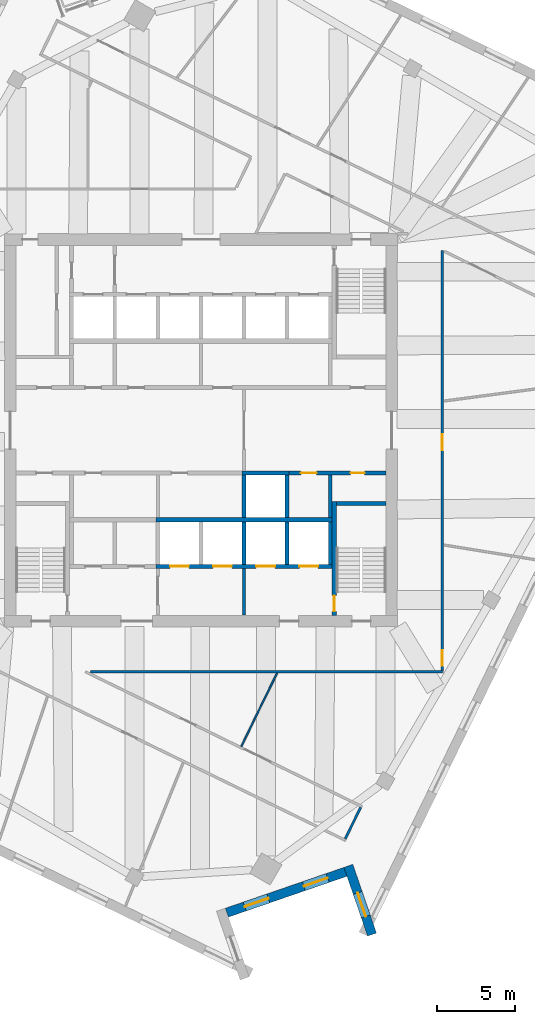
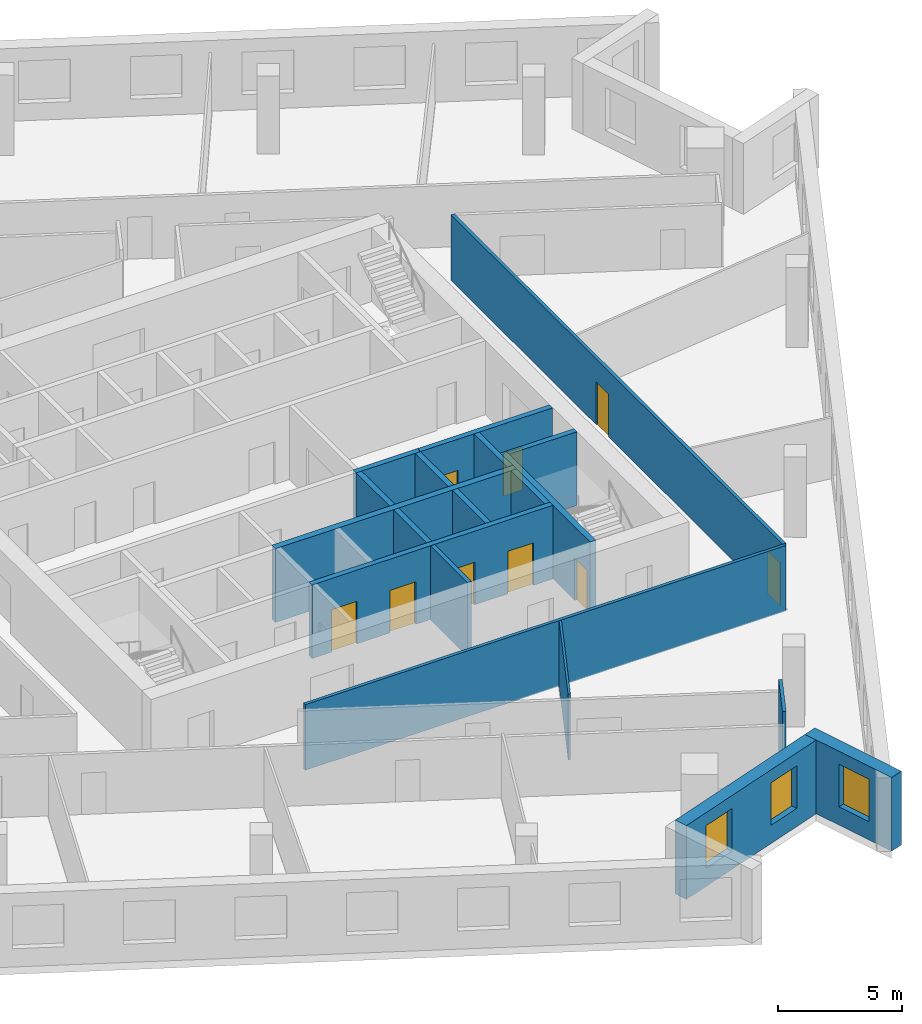
# One storey, part 7 of 13: 19 walls, 9 doors, 3 windows, 12 openings.
"""IFC4 building model written with IfcOpenShell, lengths in metres."""

from ifc_helpers import new_model, si_unit, direction, frame, frame_2d, origin, place, context, subcontext, project, spatial, rectangle, extrude, material, layer, layer_set, type_object, element, fill, save


model = new_model("IFC4")

# Units and contexts
model_context = context("Model", 3, precision=1e-05, world=origin(), true_north=direction((0.0, 1.0)))
body_context = subcontext(model_context, "Body", "Model", "MODEL_VIEW")
ifc_project = project(units=[si_unit("LENGTHUNIT", "METRE"), si_unit("AREAUNIT", "SQUARE_METRE"), si_unit("VOLUMEUNIT", "CUBIC_METRE"), si_unit("PLANEANGLEUNIT", "RADIAN"), si_unit("MASSUNIT", "GRAM", prefix="KILO")], contexts=[model_context])

# Site, building, storey
site_placement = place(None, origin())
site = spatial("IfcSite", under=ifc_project, at=site_placement, CompositionType="ELEMENT")
building_placement = place(site_placement, origin())
building = spatial("IfcBuilding", under=site, at=building_placement, Name="Dilmun Exchange Tower", CompositionType="ELEMENT")
storey_placement = place(building_placement, frame((0.0, 0.0, 286.89990234375)))
storey = spatial("IfcBuildingStorey", under=building, at=storey_placement, Name="L68", CompositionType="ELEMENT", Elevation=286.89990234375)

# Walls
ifc_material_1 = material(Name="Concrete C40/50", Category="concrete")
ifc_layer_1 = layer(ifc_material_1, 0.199951171875)
ifc_layer_set_1 = layer_set([ifc_layer_1], Name="Concrete C40/50")
wall_type_1 = type_object("IfcWallType", Name="Core partition wall 200", PredefinedType="PARTITIONING", material=ifc_layer_set_1)
wall_1_placement = place(storey_placement, frame((2.75, -11.794921875, 0.0), z_axis=(0.0, 0.0, 1.0), x_axis=(0.0, 1.0, 0.0)))
element("IfcWall", 1, at=wall_1_placement, inside=storey, type_object=wall_type_1, Name="L68 core partition wall 02", PredefinedType="PARTITIONING", context=body_context, shape_type="SweptSolid", body=[
    extrude(rectangle(XDim=2.989990234375, YDim=0.199951171875, at=frame_2d((1.4951171875, 0.0))), origin(), (0.0, 0.0, 1.0), 3.64013671875),
])
ifc_layer_2 = layer(ifc_material_1, 0.25)
ifc_layer_set_2 = layer_set([ifc_layer_2], Name="Concrete C40/50")
wall_type_2 = type_object("IfcWallType", Name="Core partition wall 250", PredefinedType="PARTITIONING", material=ifc_layer_set_2)
wall_2_placement = place(storey_placement, frame((8.25, -5.544921875, 0.0), z_axis=(0.0, 0.0, 1.0), x_axis=(0.0, 1.0, 0.0)))
element("IfcWall", 2, at=wall_2_placement, inside=storey, type_object=wall_type_2, Name="L68 core partition wall 09", PredefinedType="PARTITIONING", context=body_context, shape_type="SweptSolid", body=[
    extrude(rectangle(XDim=2.68994140625, YDim=0.25, at=frame_2d((1.344970703125, 0.0))), origin(), (0.0, 0.0, 1.0), 3.64013671875),
])

# Wall, openings, doors
wall_3_placement = place(storey_placement, frame((5.6298828125, -2.72509765625, 0.0), z_axis=(0.0, 0.0, 1.0), x_axis=(1.0, 0.0, 0.0)))
wall_3 = element("IfcWall", 3, at=wall_3_placement, inside=storey, type_object=wall_type_2, Name="L68 core partition wall 11", PredefinedType="PARTITIONING", context=body_context, shape_type="SweptSolid", body=[
    extrude(rectangle(XDim=6.1650390625, YDim=0.25, at=frame_2d((3.08251953125, 0.0))), origin(), (0.0, 0.0, 1.0), 3.64013671875),
])
opening_1_placement = place(wall_3_placement, frame((0.7451171875, 0.0, 0.0)))
opening_1 = element("IfcOpeningElement", 4, at=opening_1_placement, cuts=wall_3, Name="Opening CD4", PredefinedType="OPENING", context=body_context, shape_type="SweptSolid", body=[
    extrude(rectangle(XDim=1.0, YDim=2.10009765625, at=frame_2d((0.5, 1.050048828125))), frame((0.0, 0.135009765625, 0.0), z_axis=(0.0, -1.0, 0.0), x_axis=(1.0, 0.0, 0.0)), (0.0, 0.0, 1.0), 0.27001953125),
])
opening_2_placement = place(wall_3_placement, frame((3.919921875, 0.0, 0.0)))
opening_2 = element("IfcOpeningElement", 5, at=opening_2_placement, cuts=wall_3, Name="Opening CD6", PredefinedType="OPENING", context=body_context, shape_type="SweptSolid", body=[
    extrude(rectangle(XDim=0.89990234375, YDim=2.10009765625, at=frame_2d((0.449951171875, 1.050048828125))), frame((0.0, 0.135009765625, 0.0), z_axis=(0.0, -1.0, 0.0), x_axis=(1.0, 0.0, 0.0)), (0.0, 0.0, 1.0), 0.27001953125),
])
ifc_material_2 = material(Name="Fire-rated steel door set", Category="steel")
door_type_1 = type_object("IfcDoorType", Name="Core room door 1000x2100", OperationType="SINGLE_SWING_LEFT", PredefinedType="DOOR", material=ifc_material_2)
door_1_placement = place(opening_1_placement, origin())
door_1 = element("IfcDoor", 6, at=door_1_placement, inside=storey, type_object=door_type_1, Name="L68 door Cleaners' store", OperationType="SINGLE_SWING_LEFT", OverallHeight=2.10009765625, OverallWidth=1.0, PredefinedType="DOOR", context=body_context, shape_type="SweptSolid", body=[
    extrude(rectangle(XDim=1.0, YDim=2.10009765625, at=frame_2d((0.5, 1.050048828125))), frame((0.0, 0.02490234375, 0.0), z_axis=(0.0, -1.0, 0.0), x_axis=(1.0, 0.0, 0.0)), (0.0, 0.0, 1.0), 0.050048828125),
])
fill(opening_1, door_1)
door_type_2 = type_object("IfcDoorType", Name="Core room door 900x2100", OperationType="SINGLE_SWING_LEFT", PredefinedType="DOOR", material=ifc_material_2)
door_2_placement = place(opening_2_placement, origin())
door_2 = element("IfcDoor", 7, at=door_2_placement, inside=storey, type_object=door_type_2, Name="L68 door Comms riser", OperationType="SINGLE_SWING_LEFT", OverallHeight=2.10009765625, OverallWidth=0.89990234375, PredefinedType="DOOR", context=body_context, shape_type="SweptSolid", body=[
    extrude(rectangle(XDim=0.89990234375, YDim=2.10009765625, at=frame_2d((0.449951171875, 1.050048828125))), frame((0.0, 0.02490234375, 0.0), z_axis=(0.0, -1.0, 0.0), x_axis=(1.0, 0.0, 0.0)), (0.0, 0.0, 1.0), 0.050048828125),
])
fill(opening_2, door_2)

# Walls
ifc_material_3 = material(Name="Corridor wall 150")
ifc_layer_3 = layer(ifc_material_3, 0.14990234375)
ifc_layer_set_3 = layer_set([ifc_layer_3], Name="Corridor wall 150")
wall_type_3 = type_object("IfcWallType", Name="Corridor wall 150", PredefinedType="PARTITIONING", material=ifc_layer_set_3)
wall_4_placement = place(storey_placement, frame((-7.043212890625, -15.39990234375, 0.0), z_axis=(0.0, 0.0, 1.0), x_axis=(1.0, 0.0, 0.0)))
element("IfcWall", 8, at=wall_4_placement, inside=storey, type_object=wall_type_3, Name="Corridor wall", PredefinedType="PARTITIONING", context=body_context, shape_type="SweptSolid", body=[
    extrude(rectangle(XDim=22.443115234375, YDim=0.14990234375, at=frame_2d((11.2216796875, 0.0))), origin(), (0.0, 0.0, 1.0), 3.239990234375),
])
wall_5_placement = place(storey_placement, frame((9.203857421875, -26.069580078125, 0.0), z_axis=(0.0, 0.0, 1.0), x_axis=(0.438380874055, 0.89878930193, 0.0)))
element("IfcWall", 9, at=wall_5_placement, inside=storey, type_object=wall_type_3, Name="Corridor wall", PredefinedType="PARTITIONING", context=body_context, shape_type="SweptSolid", body=[
    extrude(rectangle(XDim=2.25, YDim=0.14990234375, at=frame_2d((1.125, 0.0))), origin(), (0.0, 0.0, 1.0), 3.64013671875),
])

# Wall, openings, doors
wall_6_placement = place(storey_placement, frame((15.39990234375, -15.324951171875, 0.0), z_axis=(0.0, 0.0, 1.0), x_axis=(0.0, 1.0, 0.0)))
wall_6 = element("IfcWall", 10, at=wall_6_placement, inside=storey, type_object=wall_type_3, Name="Corridor wall", PredefinedType="PARTITIONING", context=body_context, shape_type="SweptSolid", body=[
    extrude(rectangle(XDim=26.807861328125, YDim=0.14990234375, at=frame_2d((13.40380859375, 0.0))), origin(), (0.0, 0.0, 1.0), 3.239990234375),
])
opening_3_placement = place(wall_6_placement, frame((0.300048828125, 0.0, 0.0)))
opening_3 = element("IfcOpeningElement", 11, at=opening_3_placement, cuts=wall_6, Name="Opening TF67-D13", PredefinedType="OPENING", context=body_context, shape_type="SweptSolid", body=[
    extrude(rectangle(XDim=1.0, YDim=2.10009765625, at=frame_2d((0.5, 1.050048828125))), frame((0.0, 0.0849609375, 0.0), z_axis=(0.0, -1.0, 0.0), x_axis=(1.0, 0.0, 0.0)), (0.0, 0.0, 1.0), 0.169921875),
])
opening_4_placement = place(wall_6_placement, frame((14.071533203125, 0.0, 0.0)))
opening_4 = element("IfcOpeningElement", 12, at=opening_4_placement, cuts=wall_6, Name="Opening TF67-D15", PredefinedType="OPENING", context=body_context, shape_type="SweptSolid", body=[
    extrude(rectangle(XDim=1.0, YDim=2.10009765625, at=frame_2d((0.5, 1.050048828125))), frame((0.0, 0.0849609375, 0.0), z_axis=(0.0, -1.0, 0.0), x_axis=(1.0, 0.0, 0.0)), (0.0, 0.0, 1.0), 0.169921875),
])
ifc_material_4 = material(Name="Fire door 1000 x 2100")
door_type_3 = type_object("IfcDoorType", Name="Fire door 1000 x 2100", OperationType="NOTDEFINED", PredefinedType="DOOR", material=ifc_material_4)
door_3_placement = place(opening_3_placement, frame((1.0, 0.0, 0.0), z_axis=(0.0, 0.0, 1.0), x_axis=(-1.0, 0.0, 0.0)))
door_3 = element("IfcDoor", 13, at=door_3_placement, inside=storey, type_object=door_type_3, Name="Door TF67-D13", OperationType="SINGLE_SWING_RIGHT", OverallHeight=2.10009765625, OverallWidth=1.0, PredefinedType="DOOR", context=body_context, shape_type="SweptSolid", body=[
    extrude(rectangle(XDim=1.0, YDim=2.10009765625, at=frame_2d((0.5, 1.050048828125))), frame((0.0, 0.02490234375, 0.0), z_axis=(0.0, -1.0, 0.0), x_axis=(1.0, 0.0, 0.0)), (0.0, 0.0, 1.0), 0.050048828125),
])
fill(opening_3, door_3)
door_4_placement = place(opening_4_placement, frame((1.0, 0.0, 0.0), z_axis=(0.0, 0.0, 1.0), x_axis=(-1.0, 0.0, 0.0)))
door_4 = element("IfcDoor", 14, at=door_4_placement, inside=storey, type_object=door_type_3, Name="Door TF67-D15", OperationType="SINGLE_SWING_RIGHT", OverallHeight=2.10009765625, OverallWidth=1.0, PredefinedType="DOOR", context=body_context, shape_type="SweptSolid", body=[
    extrude(rectangle(XDim=1.0, YDim=2.10009765625, at=frame_2d((0.5, 1.050048828125))), frame((0.0, 0.02490234375, 0.0), z_axis=(0.0, -1.0, 0.0), x_axis=(1.0, 0.0, 0.0)), (0.0, 0.0, 1.0), 0.050048828125),
])
fill(opening_4, door_4)

# Walls
ifc_layer_4 = layer(ifc_material_1, 0.300048828125)
ifc_layer_set_4 = layer_set([ifc_layer_4], Name="Concrete C40/50")
wall_type_4 = type_object("IfcWallType", Name="Lift shaft shared wall 300", PredefinedType="SOLIDWALL", material=ifc_layer_set_4)
wall_7_placement = place(storey_placement, frame((-2.875, -5.699951171875, 0.0), z_axis=(0.0, 0.0, 1.0), x_axis=(1.0, 0.0, 0.0)))
element("IfcWall", 15, at=wall_7_placement, inside=storey, type_object=wall_type_4, Name="L68 lift shaft rear wall S", PredefinedType="SOLIDWALL", context=body_context, shape_type="SweptSolid", body=[
    extrude(rectangle(XDim=11.25, YDim=0.300048828125, at=frame_2d((5.625, 0.0))), origin(), (0.0, 0.0, 1.0), 3.64013671875),
])
ifc_layer_5 = layer(ifc_material_1, 0.25)
ifc_layer_set_5 = layer_set([ifc_layer_5], Name="Concrete C40/50")
wall_type_5 = type_object("IfcWallType", Name="Lift shaft wall 250", PredefinedType="SOLIDWALL", material=ifc_layer_set_5)
wall_8_placement = place(storey_placement, frame((2.625, -2.72509765625, 0.0), z_axis=(0.0, 0.0, 1.0), x_axis=(1.0, 0.0, 0.0)))
element("IfcWall", 16, at=wall_8_placement, inside=storey, type_object=wall_type_5, Name="L68 lift shaft front wall S1", PredefinedType="SOLIDWALL", context=body_context, shape_type="SweptSolid", body=[
    extrude(rectangle(XDim=3.0, YDim=0.25, at=frame_2d((1.5, 0.0))), origin(), (0.0, 0.0, 1.0), 3.64013671875),
])
for number, where, z_axis, x_axis, name in (
    (17, (2.75, -5.550048828125, 0.0), (0.0, 0.0, 1.0), (0.0, 1.0, 0.0), "L68 lift shaft divider S14"),
    (18, (5.5, -5.550048828125, 0.0), (0.0, 0.0, 1.0), (0.0, 1.0, 0.0), "L68 lift shaft divider S15"),
):
    element("IfcWall", number, at=place(storey_placement, frame(where, z_axis=z_axis, x_axis=x_axis)), inside=storey, type_object=wall_type_5, Name=name, PredefinedType="SOLIDWALL", context=body_context, shape_type="SweptSolid", body=[
        extrude(rectangle(XDim=2.699951171875, YDim=0.25, at=frame_2d((1.35009765625, 0.0))), origin(), (0.0, 0.0, 1.0), 3.64013671875),
    ])

# Wall, openings, doors
wall_9_placement = place(storey_placement, frame((-2.875, -8.675048828125, 0.0), z_axis=(0.0, 0.0, 1.0), x_axis=(1.0, 0.0, 0.0)))
wall_9 = element("IfcWall", 19, at=wall_9_placement, inside=storey, type_object=wall_type_5, Name="L68 lift shaft front wall S2", PredefinedType="SOLIDWALL", context=body_context, shape_type="SweptSolid", body=[
    extrude(rectangle(XDim=11.25, YDim=0.25, at=frame_2d((5.625, 0.0))), origin(), (0.0, 0.0, 1.0), 3.64013671875),
])
opening_5_placement = place(wall_9_placement, frame((0.89990234375, 0.0, 0.0)))
opening_5 = element("IfcOpeningElement", 20, at=opening_5_placement, cuts=wall_9, Name="Opening LD", PredefinedType="OPENING", context=body_context, shape_type="SweptSolid", body=[
    extrude(rectangle(XDim=1.199951171875, YDim=2.10009765625, at=frame_2d((0.60009765625, 1.050048828125))), frame((0.0, 0.135009765625, 0.0), z_axis=(0.0, -1.0, 0.0), x_axis=(1.0, 0.0, 0.0)), (0.0, 0.0, 1.0), 0.27001953125),
])
opening_6_placement = place(wall_9_placement, frame((3.64990234375, 0.0, 0.0)))
opening_6 = element("IfcOpeningElement", 21, at=opening_6_placement, cuts=wall_9, Name="Opening LD", PredefinedType="OPENING", context=body_context, shape_type="SweptSolid", body=[
    extrude(rectangle(XDim=1.199951171875, YDim=2.10009765625, at=frame_2d((0.60009765625, 1.050048828125))), frame((0.0, 0.135009765625, 0.0), z_axis=(0.0, -1.0, 0.0), x_axis=(1.0, 0.0, 0.0)), (0.0, 0.0, 1.0), 0.27001953125),
])
opening_7_placement = place(wall_9_placement, frame((6.39990234375, 0.0, 0.0)))
opening_7 = element("IfcOpeningElement", 22, at=opening_7_placement, cuts=wall_9, Name="Opening LD", PredefinedType="OPENING", context=body_context, shape_type="SweptSolid", body=[
    extrude(rectangle(XDim=1.199951171875, YDim=2.10009765625, at=frame_2d((0.60009765625, 1.050048828125))), frame((0.0, 0.135009765625, 0.0), z_axis=(0.0, -1.0, 0.0), x_axis=(1.0, 0.0, 0.0)), (0.0, 0.0, 1.0), 0.27001953125),
])
opening_8_placement = place(wall_9_placement, frame((9.14990234375, 0.0, 0.0)))
opening_8 = element("IfcOpeningElement", 23, at=opening_8_placement, cuts=wall_9, Name="Opening LD", PredefinedType="OPENING", context=body_context, shape_type="SweptSolid", body=[
    extrude(rectangle(XDim=1.199951171875, YDim=2.10009765625, at=frame_2d((0.60009765625, 1.050048828125))), frame((0.0, 0.135009765625, 0.0), z_axis=(0.0, -1.0, 0.0), x_axis=(1.0, 0.0, 0.0)), (0.0, 0.0, 1.0), 0.27001953125),
])
door_type_4 = type_object("IfcDoorType", Name="Lift landing door 1200x2100", OperationType="DOUBLE_DOOR_SLIDING", PredefinedType="DOOR", material=ifc_material_2)
door_5_placement = place(opening_5_placement, origin())
door_5 = element("IfcDoor", 24, at=door_5_placement, inside=storey, type_object=door_type_4, Name="L68 landing door SV1", OperationType="DOUBLE_DOOR_SLIDING", OverallHeight=2.10009765625, OverallWidth=1.199951171875, PredefinedType="DOOR", context=body_context, shape_type="SweptSolid", body=[
    extrude(rectangle(XDim=1.199951171875, YDim=2.10009765625, at=frame_2d((0.60009765625, 1.050048828125))), frame((0.0, 0.02490234375, 0.0), z_axis=(0.0, -1.0, 0.0), x_axis=(1.0, 0.0, 0.0)), (0.0, 0.0, 1.0), 0.050048828125),
])
fill(opening_5, door_5)
door_6_placement = place(opening_6_placement, origin())
door_6 = element("IfcDoor", 25, at=door_6_placement, inside=storey, type_object=door_type_4, Name="L68 landing door SV2", OperationType="DOUBLE_DOOR_SLIDING", OverallHeight=2.10009765625, OverallWidth=1.199951171875, PredefinedType="DOOR", context=body_context, shape_type="SweptSolid", body=[
    extrude(rectangle(XDim=1.199951171875, YDim=2.10009765625, at=frame_2d((0.60009765625, 1.050048828125))), frame((0.0, 0.02490234375, 0.0), z_axis=(0.0, -1.0, 0.0), x_axis=(1.0, 0.0, 0.0)), (0.0, 0.0, 1.0), 0.050048828125),
])
fill(opening_6, door_6)
door_7_placement = place(opening_7_placement, origin())
door_7 = element("IfcDoor", 26, at=door_7_placement, inside=storey, type_object=door_type_4, Name="L68 landing door FF1", OperationType="DOUBLE_DOOR_SLIDING", OverallHeight=2.10009765625, OverallWidth=1.199951171875, PredefinedType="DOOR", context=body_context, shape_type="SweptSolid", body=[
    extrude(rectangle(XDim=1.199951171875, YDim=2.10009765625, at=frame_2d((0.60009765625, 1.050048828125))), frame((0.0, 0.02490234375, 0.0), z_axis=(0.0, -1.0, 0.0), x_axis=(1.0, 0.0, 0.0)), (0.0, 0.0, 1.0), 0.050048828125),
])
fill(opening_7, door_7)
door_8_placement = place(opening_8_placement, origin())
door_8 = element("IfcDoor", 27, at=door_8_placement, inside=storey, type_object=door_type_4, Name="L68 landing door FF2", OperationType="DOUBLE_DOOR_SLIDING", OverallHeight=2.10009765625, OverallWidth=1.199951171875, PredefinedType="DOOR", context=body_context, shape_type="SweptSolid", body=[
    extrude(rectangle(XDim=1.199951171875, YDim=2.10009765625, at=frame_2d((0.60009765625, 1.050048828125))), frame((0.0, 0.02490234375, 0.0), z_axis=(0.0, -1.0, 0.0), x_axis=(1.0, 0.0, 0.0)), (0.0, 0.0, 1.0), 0.050048828125),
])
fill(opening_8, door_8)

# Walls
for number, where, z_axis, x_axis, name in (
    (28, (2.75, -8.550048828125, 0.0), (0.0, 0.0, 1.0), (0.0, 1.0, 0.0), "L68 lift shaft divider S24"),
    (29, (5.5, -8.550048828125, 0.0), (0.0, 0.0, 1.0), (0.0, 1.0, 0.0), "L68 lift shaft divider S25"),
    (30, (8.25, -8.550048828125, 0.0), (0.0, 0.0, 1.0), (0.0, 1.0, 0.0), "L68 lift shaft divider S26"),
):
    element("IfcWall", number, at=place(storey_placement, frame(where, z_axis=z_axis, x_axis=x_axis)), inside=storey, type_object=wall_type_5, Name=name, PredefinedType="SOLIDWALL", context=body_context, shape_type="SweptSolid", body=[
        extrude(rectangle(XDim=2.699951171875, YDim=0.25, at=frame_2d((1.35009765625, 0.0))), origin(), (0.0, 0.0, 1.0), 3.64013671875),
    ])
ifc_material_5 = material(Name="Partition 100")
ifc_layer_6 = layer(ifc_material_5, 0.10009765625)
ifc_layer_set_6 = layer_set([ifc_layer_6], Name="Partition 100")
wall_type_6 = type_object("IfcWallType", Name="Partition 100", PredefinedType="PARTITIONING", material=ifc_layer_set_6)
wall_10_placement = place(storey_placement, frame((2.572998046875, -20.16552734375, 0.0), z_axis=(0.0, 0.0, 1.0), x_axis=(0.438298611435, 0.898829420532, 0.0)))
element("IfcWall", 31, at=wall_10_placement, inside=storey, type_object=wall_type_6, Name="Partition", PredefinedType="PARTITIONING", context=body_context, shape_type="SweptSolid", body=[
    extrude(rectangle(XDim=5.194091796875, YDim=0.10009765625, at=frame_2d((2.59716796875, 0.0))), origin(), (0.0, 0.0, 1.0), 3.239990234375),
])

# Wall, openings, windows
ifc_material_6 = material(Name="Precast concrete C50/60", Category="concrete")
ifc_layer_7 = layer(ifc_material_6, 0.60009765625)
ifc_layer_set_7 = layer_set([ifc_layer_7], Name="Precast concrete C50/60")
wall_type_7 = type_object("IfcWallType", Name="Precast stone-clad wall 600", PredefinedType="STANDARD", material=ifc_layer_set_7)
wall_11_placement = place(storey_placement, frame((1.654296875, -30.774169921875, 0.0), z_axis=(0.0, 0.0, 1.0), x_axis=(0.945512022477, 0.325587185483, 0.0)))
wall_11 = element("IfcWall", 32, at=wall_11_placement, inside=storey, type_object=wall_type_7, Name="Facade wall L68-09", PredefinedType="STANDARD", context=body_context, shape_type="SweptSolid", body=[
    extrude(rectangle(XDim=8.0, YDim=0.60009765625, at=frame_2d((4.0, 0.0))), origin(), (0.0, 0.0, 1.0), 3.64013671875),
])
opening_9_placement = place(wall_11_placement, frame((1.199951171875, 0.0, 0.89990234375)))
opening_9 = element("IfcOpeningElement", 33, at=opening_9_placement, cuts=wall_11, Name="Opening W160-210", PredefinedType="OPENING", context=body_context, shape_type="SweptSolid", body=[
    extrude(rectangle(XDim=1.60009765625, YDim=2.10009765625, at=frame_2d((0.800048828125, 1.050048828125))), frame((0.0, 0.31005859375, 0.0), z_axis=(0.0, -1.0, 0.0), x_axis=(1.0, 0.0, 0.0)), (0.0, 0.0, 1.0), 0.6201171875),
])
opening_10_placement = place(wall_11_placement, frame((5.199951171875, 0.0, 0.89990234375)))
opening_10 = element("IfcOpeningElement", 34, at=opening_10_placement, cuts=wall_11, Name="Opening W160-210", PredefinedType="OPENING", context=body_context, shape_type="SweptSolid", body=[
    extrude(rectangle(XDim=1.60009765625, YDim=2.10009765625, at=frame_2d((0.800048828125, 1.050048828125))), frame((0.0, 0.31005859375, 0.0), z_axis=(0.0, -1.0, 0.0), x_axis=(1.0, 0.0, 0.0)), (0.0, 0.0, 1.0), 0.6201171875),
])
ifc_material_7 = material(Name="Clear low-emissivity glass in aluminium frame", Category="aluminium")
window_type = type_object("IfcWindowType", Name="Punched window 1600 x 2100", PartitioningType="DOUBLE_PANEL_VERTICAL", PredefinedType="WINDOW", material=ifc_material_7)
window_1_placement = place(opening_9_placement, origin())
window_1 = element("IfcWindow", 35, at=window_1_placement, inside=storey, type_object=window_type, Name="Window 10.1", OverallHeight=2.10009765625, OverallWidth=1.60009765625, PartitioningType="SINGLE_PANEL", PredefinedType="WINDOW", context=body_context, shape_type="SweptSolid", body=[
    extrude(rectangle(XDim=1.60009765625, YDim=2.10009765625, at=frame_2d((0.800048828125, 1.050048828125))), frame((0.0, 0.030029296875, 0.0), z_axis=(0.0, -1.0, 0.0), x_axis=(1.0, 0.0, 0.0)), (0.0, 0.0, 1.0), 0.06005859375),
])
fill(opening_9, window_1)
window_2_placement = place(opening_10_placement, origin())
window_2 = element("IfcWindow", 36, at=window_2_placement, inside=storey, type_object=window_type, Name="Window 10.2", OverallHeight=2.10009765625, OverallWidth=1.60009765625, PartitioningType="SINGLE_PANEL", PredefinedType="WINDOW", context=body_context, shape_type="SweptSolid", body=[
    extrude(rectangle(XDim=1.60009765625, YDim=2.10009765625, at=frame_2d((0.800048828125, 1.050048828125))), frame((0.0, 0.030029296875, 0.0), z_axis=(0.0, -1.0, 0.0), x_axis=(1.0, 0.0, 0.0)), (0.0, 0.0, 1.0), 0.06005859375),
])
fill(opening_10, window_2)

# Wall, opening, window
wall_12_placement = place(storey_placement, frame((9.404541015625, -27.7880859375, 0.0), z_axis=(0.0, 0.0, 1.0), x_axis=(0.325581637261, -0.94551393299, 0.0)))
wall_12 = element("IfcWall", 37, at=wall_12_placement, inside=storey, type_object=wall_type_7, Name="Facade wall L68-10", PredefinedType="STANDARD", context=body_context, shape_type="SweptSolid", body=[
    extrude(rectangle(XDim=4.6357421875, YDim=0.60009765625, at=frame_2d((2.31787109375, 0.0))), origin(), (0.0, 0.0, 1.0), 3.64013671875),
])
opening_11_placement = place(wall_12_placement, frame((1.81787109375, 0.0, 0.89990234375)))
opening_11 = element("IfcOpeningElement", 38, at=opening_11_placement, cuts=wall_12, Name="Opening W160-210", PredefinedType="OPENING", context=body_context, shape_type="SweptSolid", body=[
    extrude(rectangle(XDim=1.60009765625, YDim=2.10009765625, at=frame_2d((0.800048828125, 1.050048828125))), frame((0.0, 0.31005859375, 0.0), z_axis=(0.0, -1.0, 0.0), x_axis=(1.0, 0.0, 0.0)), (0.0, 0.0, 1.0), 0.6201171875),
])
window_3_placement = place(opening_11_placement, origin())
window_3 = element("IfcWindow", 39, at=window_3_placement, inside=storey, type_object=window_type, Name="Window 11.1", OverallHeight=2.10009765625, OverallWidth=1.60009765625, PartitioningType="SINGLE_PANEL", PredefinedType="WINDOW", context=body_context, shape_type="SweptSolid", body=[
    extrude(rectangle(XDim=1.60009765625, YDim=2.10009765625, at=frame_2d((0.800048828125, 1.050048828125))), frame((0.0, 0.030029296875, 0.0), z_axis=(0.0, -1.0, 0.0), x_axis=(1.0, 0.0, 0.0)), (0.0, 0.0, 1.0), 0.06005859375),
])
fill(opening_11, window_3)

# Wall
ifc_layer_8 = layer(ifc_material_1, 0.25)
ifc_layer_set_8 = layer_set([ifc_layer_8], Name="Concrete C40/50")
wall_type_8 = type_object("IfcWallType", Name="Stair end wall 250", PredefinedType="SOLIDWALL", material=ifc_layer_set_8)
wall_13_placement = place(storey_placement, frame((8.64990234375, -4.675048828125, 0.0), z_axis=(0.0, 0.0, 1.0), x_axis=(1.0, 0.0, 0.0)))
element("IfcWall", 40, at=wall_13_placement, inside=storey, type_object=wall_type_8, Name="L68 ST3 far wall", PredefinedType="SOLIDWALL", context=body_context, shape_type="SweptSolid", body=[
    extrude(rectangle(XDim=3.150146484375, YDim=0.25, at=frame_2d((1.5751953125, 0.0))), origin(), (0.0, 0.0, 1.0), 3.64013671875),
])

# Wall, opening, door
ifc_layer_9 = layer(ifc_material_1, 0.27490234375)
ifc_layer_set_9 = layer_set([ifc_layer_9], Name="Concrete C40/50")
wall_type_9 = type_object("IfcWallType", Name="Stair wall 275", PredefinedType="SOLIDWALL", material=ifc_layer_set_9)
wall_14_placement = place(storey_placement, frame((8.512451171875, -4.550048828125, 0.0), z_axis=(0.0, 0.0, 1.0), x_axis=(0.0, -1.0, 0.0)))
wall_14 = element("IfcWall", 41, at=wall_14_placement, inside=storey, type_object=wall_type_9, Name="L68 ST3 wall to lift block", PredefinedType="SOLIDWALL", context=body_context, shape_type="SweptSolid", body=[
    extrude(rectangle(XDim=7.25, YDim=0.27490234375, at=frame_2d((3.625, 0.0))), origin(), (0.0, 0.0, 1.0), 3.64013671875),
])
opening_12_placement = place(wall_14_placement, frame((6.0, 0.0, 0.0)))
opening_12 = element("IfcOpeningElement", 42, at=opening_12_placement, cuts=wall_14, Name="Opening CD4", PredefinedType="OPENING", context=body_context, shape_type="SweptSolid", body=[
    extrude(rectangle(XDim=1.0, YDim=2.10009765625, at=frame_2d((0.5, 1.050048828125))), frame((0.0, 0.1474609375, 0.0), z_axis=(0.0, -1.0, 0.0), x_axis=(1.0, 0.0, 0.0)), (0.0, 0.0, 1.0), 0.294921875),
])
door_9_placement = place(opening_12_placement, origin())
door_9 = element("IfcDoor", 43, at=door_9_placement, inside=storey, type_object=door_type_1, Name="L68 door ST3 from lobby", OperationType="SINGLE_SWING_LEFT", OverallHeight=2.10009765625, OverallWidth=1.0, PredefinedType="DOOR", context=body_context, shape_type="SweptSolid", body=[
    extrude(rectangle(XDim=1.0, YDim=2.10009765625, at=frame_2d((0.5, 1.050048828125))), frame((0.0, 0.02490234375, 0.0), z_axis=(0.0, -1.0, 0.0), x_axis=(1.0, 0.0, 0.0)), (0.0, 0.0, 1.0), 0.050048828125),
])
fill(opening_12, door_9)

save(model, "model.ifc")
